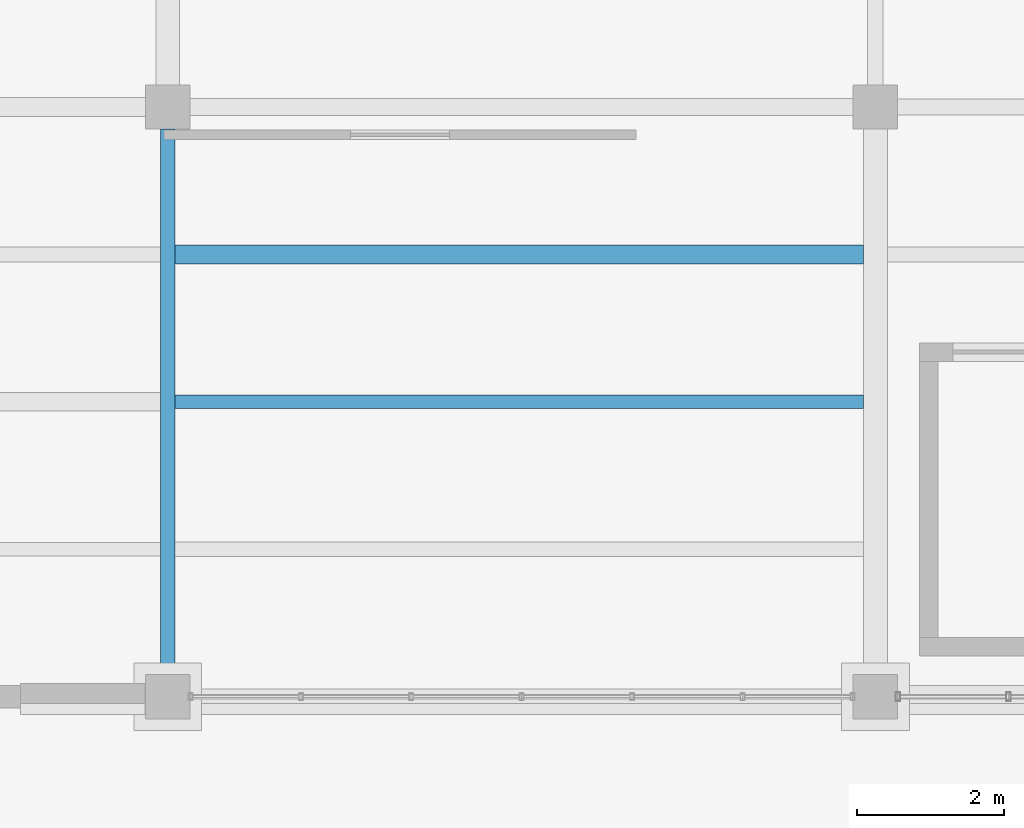
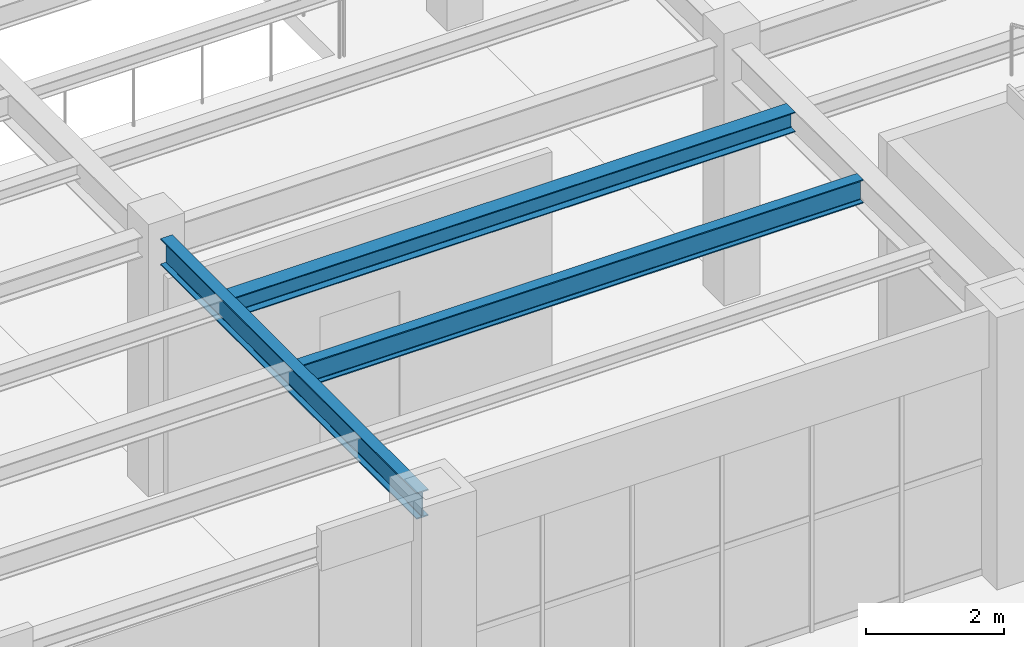
# One storey, part 30 of 83: 3 beams.
"""IFC4 building model written with IfcOpenShell, lengths in metres."""

from ifc_helpers import new_model, si_unit, direction, frame, origin, origin_2d, place, context, subcontext, project, spatial, i_section, extrude, material, material_profile, profile_set, type_object, element, save


model = new_model("IFC4")

# Units and contexts
model_context = context("Model", 3, precision=1e-05, world=origin(), true_north=direction((0.0, 1.0)))
body_context = subcontext(model_context, "Body", "Model", "MODEL_VIEW")
ifc_project = project(units=[si_unit("LENGTHUNIT", "METRE"), si_unit("AREAUNIT", "SQUARE_METRE"), si_unit("VOLUMEUNIT", "CUBIC_METRE"), si_unit("PLANEANGLEUNIT", "RADIAN"), si_unit("MASSUNIT", "GRAM", prefix="KILO")], contexts=[model_context])

# Site, building, storey
site_placement = place(None, origin())
site = spatial("IfcSite", under=ifc_project, at=site_placement, CompositionType="ELEMENT")
building_placement = place(site_placement, origin())
building = spatial("IfcBuilding", under=site, at=building_placement, Name="Mavantir Sound Aquarium", CompositionType="ELEMENT")
storey_placement = place(building_placement, frame((0.0, 0.0, 10.5)))
storey = spatial("IfcBuildingStorey", under=building, at=storey_placement, Name="L02", CompositionType="ELEMENT", Elevation=10.5)

# Beams
ifc_material = material(Name="Structural Steel ASTM A992 Gr50", Category="steel")
ifc_material_profile_1 = material_profile(ifc_material, i_section(OverallWidth=0.25390625, OverallDepth=0.35302734375, WebThickness=0.009521484375, FlangeThickness=0.016357421875, FilletRadius=0.014892578125, at=origin_2d()), Name="W360X91")
ifc_profile_set_1 = profile_set([ifc_material_profile_1], Name="Structural Steel ASTM A992 Gr50")
beam_type_1 = type_object("IfcBeamType", Name="BM-W360X91-I", PredefinedType="JOIST", material=ifc_profile_set_1)
beam_1_placement = place(storey_placement, frame((136.89697265625, 46.800048828125, 4.3095703125), z_axis=(1.0, 0.0, 0.0), x_axis=(0.0, 1.0, 0.0)))
element("IfcBeam", 1, at=beam_1_placement, inside=storey, type_object=beam_type_1, Name="L02 secondary floor joist SJ-36 898", PredefinedType="JOIST", context=body_context, shape_type="SweptSolid", body=[
    extrude(i_section(OverallWidth=0.25390625, OverallDepth=0.35302734375, WebThickness=0.009521484375, FlangeThickness=0.016357421875, FilletRadius=0.014892578125, at=origin_2d()), origin(), (0.0, 0.0, 1.0), 9.341064453125),
])
ifc_material_profile_2 = material_profile(ifc_material, i_section(OverallWidth=0.180908203125, OverallDepth=0.4169921875, WebThickness=0.010986328125, FlangeThickness=0.018310546875, FilletRadius=0.014892578125, at=origin_2d()), Name="W410X85")
ifc_profile_set_2 = profile_set([ifc_material_profile_2], Name="Structural Steel ASTM A992 Gr50")
beam_type_2 = type_object("IfcBeamType", Name="BM-W410X85-I", PredefinedType="JOIST", material=ifc_profile_set_2)
beam_2_placement = place(storey_placement, frame((136.89697265625, 44.800048828125, 4.277587890625), z_axis=(1.0, 0.0, 0.0), x_axis=(0.0, 1.0, 0.0)))
element("IfcBeam", 2, at=beam_2_placement, inside=storey, type_object=beam_type_2, Name="L02 secondary floor joist SJ-41 897", PredefinedType="JOIST", context=body_context, shape_type="SweptSolid", body=[
    extrude(i_section(OverallWidth=0.180908203125, OverallDepth=0.4169921875, WebThickness=0.010986328125, FlangeThickness=0.018310546875, FilletRadius=0.014892578125, at=origin_2d()), origin(), (0.0, 0.0, 1.0), 9.341064453125),
])
ifc_material_profile_3 = material_profile(ifc_material, i_section(OverallWidth=0.194091796875, OverallDepth=0.468994140625, WebThickness=0.0126953125, FlangeThickness=0.0205078125, FilletRadius=0.01611328125, at=origin_2d()), Name="W460X106")
ifc_profile_set_3 = profile_set([ifc_material_profile_3], Name="Structural Steel ASTM A992 Gr50")
beam_type_3 = type_object("IfcBeamType", Name="BM-W460X106-I", PredefinedType="BEAM", material=ifc_profile_set_3)
beam_3_placement = place(storey_placement, frame((136.800048828125, 41.10009765625, 4.25146484375), z_axis=(0.0, 1.0, 0.0), x_axis=(-1.0, 0.0, 0.0)))
element("IfcBeam", 3, at=beam_3_placement, inside=storey, type_object=beam_type_3, Name="L02 primary girder SB-46 1578", PredefinedType="BEAM", context=body_context, shape_type="SweptSolid", body=[
    extrude(i_section(OverallWidth=0.194091796875, OverallDepth=0.468994140625, WebThickness=0.0126953125, FlangeThickness=0.0205078125, FilletRadius=0.01611328125, at=origin_2d()), origin(), (0.0, 0.0, 1.0), 7.39990234375),
])

save(model, "model.ifc")
